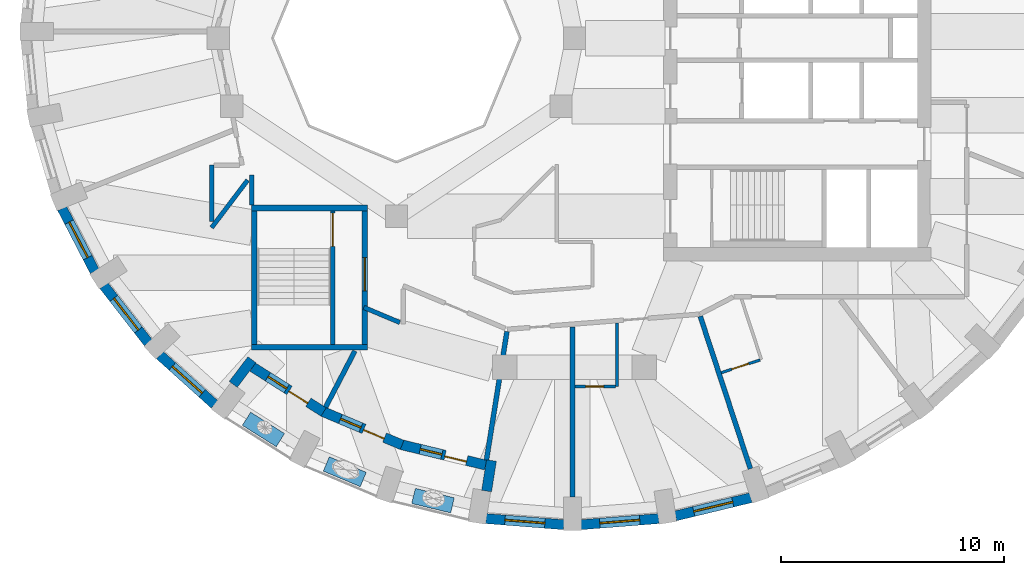
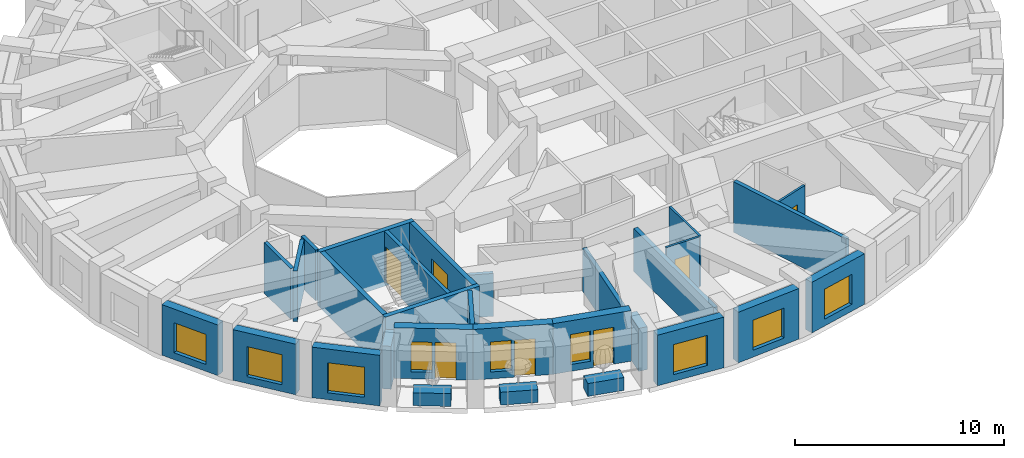
# One storey, part 3 of 12: 30 walls, 9 windows, 7 doors, 16 openings.
"""IFC4 building model written with IfcOpenShell, lengths in metres."""

from ifc_helpers import new_model, si_unit, direction, frame, frame_2d, origin, place, context, subcontext, project, spatial, rectangle, extrude, material, layer, layer_set, constituent, constituent_set, type_object, element, fill, save


model = new_model("IFC4")

# Units and contexts
model_context = context("Model", 3, precision=1e-05, world=origin(), true_north=direction((0.0, 1.0)))
body_context = subcontext(model_context, "Body", "Model", "MODEL_VIEW")
ifc_project = project(units=[si_unit("LENGTHUNIT", "METRE"), si_unit("AREAUNIT", "SQUARE_METRE"), si_unit("VOLUMEUNIT", "CUBIC_METRE"), si_unit("PLANEANGLEUNIT", "RADIAN"), si_unit("MASSUNIT", "GRAM", prefix="KILO")], contexts=[model_context])

# Site, building, storey
site_placement = place(None, origin())
site = spatial("IfcSite", under=ifc_project, at=site_placement, CompositionType="ELEMENT")
building_placement = place(site_placement, origin())
building = spatial("IfcBuilding", under=site, at=building_placement, Name="Taillehof Tower", CompositionType="ELEMENT")
storey_placement = place(building_placement, frame((0.0, 0.0, 256.39990234375)))
storey = spatial("IfcBuildingStorey", under=building, at=storey_placement, Name="L73", CompositionType="ELEMENT", Elevation=256.39990234375)

# Wall, opening, window
ifc_material_1 = material(Name="Brick masonry", Category="masonry")
ifc_layer_1 = layer(ifc_material_1, 0.449951171875)
ifc_layer_set_1 = layer_set([ifc_layer_1], Name="Brick infill wall 450")
wall_type_1 = type_object("IfcWallType", Name="Brick infill wall 450", PredefinedType="SOLIDWALL", material=ifc_layer_set_1)
wall_1_placement = place(storey_placement, frame((-23.010009765625, -7.6396484375, 0.0), z_axis=(0.0, 0.0, 1.0), x_axis=(0.459921155255, -0.887959757505, 0.0)))
wall_1 = element("IfcWall", 1, at=wall_1_placement, inside=storey, type_object=wall_type_1, Name="Brick wall L73 bay 21", PredefinedType="SOLIDWALL", context=body_context, shape_type="SweptSolid", body=[
    extrude(rectangle(XDim=3.185546875, YDim=0.449951171875, at=frame_2d((1.5927734375, 0.0))), origin(), (0.0, 0.0, 1.0), 2.9501953125),
])
opening_1_placement = place(wall_1_placement, frame((0.69287109375, 0.0, 0.39990234375)))
opening_1 = element("IfcOpeningElement", 2, at=opening_1_placement, cuts=wall_1, Name="Opening W4", PredefinedType="OPENING", context=body_context, shape_type="SweptSolid", body=[
    extrude(rectangle(XDim=1.800048828125, YDim=1.75, at=frame_2d((0.89990234375, 0.875))), frame((0.0, 0.23486328125, 0.0), z_axis=(0.0, -1.0, 0.0), x_axis=(1.0, 0.0, 0.0)), (0.0, 0.0, 1.0), 0.469970703125),
])
ifc_material_2 = material(Name="Aluminium window frame with clear double glazing", Category="aluminium")
window_type_1 = type_object("IfcWindowType", Name="Deep-set window 1800x1750", PartitioningType="SINGLE_PANEL", PredefinedType="WINDOW", material=ifc_material_2)
window_1_placement = place(opening_1_placement, origin())
window_1 = element("IfcWindow", 3, at=window_1_placement, inside=storey, type_object=window_type_1, Name="W4", OverallHeight=1.75, OverallWidth=1.800048828125, PartitioningType="SINGLE_PANEL", PredefinedType="WINDOW", context=body_context, shape_type="SweptSolid", body=[
    extrude(rectangle(XDim=1.800048828125, YDim=1.75, at=frame_2d((0.89990234375, 0.875))), frame((0.0, 0.034912109375, 0.0), z_axis=(0.0, -1.0, 0.0), x_axis=(1.0, 0.0, 0.0)), (0.0, 0.0, 1.0), 0.06005859375),
])
fill(opening_1, window_1)

wall_2_placement = place(storey_placement, frame((-21.135009765625, -11.108642578125, 0.0), z_axis=(0.0, 0.0, 1.0), x_axis=(0.613898970825, -0.789384604372, 0.0)))
wall_2 = element("IfcWall", 4, at=wall_2_placement, inside=storey, type_object=wall_type_1, Name="Brick wall L73 bay 22", PredefinedType="SOLIDWALL", context=body_context, shape_type="SweptSolid", body=[
    extrude(rectangle(XDim=3.2470703125, YDim=0.449951171875, at=frame_2d((1.62353515625, 0.0))), origin(), (0.0, 0.0, 1.0), 2.9501953125),
])
opening_2_placement = place(wall_2_placement, frame((0.7236328125, 0.0, 0.39990234375)))
opening_2 = element("IfcOpeningElement", 5, at=opening_2_placement, cuts=wall_2, Name="Opening W4", PredefinedType="OPENING", context=body_context, shape_type="SweptSolid", body=[
    extrude(rectangle(XDim=1.800048828125, YDim=1.75, at=frame_2d((0.89990234375, 0.875))), frame((0.0, 0.23486328125, 0.0), z_axis=(0.0, -1.0, 0.0), x_axis=(1.0, 0.0, 0.0)), (0.0, 0.0, 1.0), 0.469970703125),
])
window_2_placement = place(opening_2_placement, origin())
window_2 = element("IfcWindow", 6, at=window_2_placement, inside=storey, type_object=window_type_1, Name="W4", OverallHeight=1.75, OverallWidth=1.800048828125, PartitioningType="SINGLE_PANEL", PredefinedType="WINDOW", context=body_context, shape_type="SweptSolid", body=[
    extrude(rectangle(XDim=1.800048828125, YDim=1.75, at=frame_2d((0.89990234375, 0.875))), frame((0.0, 0.034912109375, 0.0), z_axis=(0.0, -1.0, 0.0), x_axis=(1.0, 0.0, 0.0)), (0.0, 0.0, 1.0), 0.06005859375),
])
fill(opening_2, window_2)

wall_3_placement = place(storey_placement, frame((-18.623779296875, -14.228515625, 0.0), z_axis=(0.0, 0.0, 1.0), x_axis=(0.743166014219, -0.669107073128, 0.0)))
wall_3 = element("IfcWall", 7, at=wall_3_placement, inside=storey, type_object=wall_type_1, Name="Brick wall L73 bay 23", PredefinedType="SOLIDWALL", context=body_context, shape_type="SweptSolid", body=[
    extrude(rectangle(XDim=3.31640625, YDim=0.449951171875, at=frame_2d((1.658203125, 0.0))), origin(), (0.0, 0.0, 1.0), 2.9501953125),
])
opening_3_placement = place(wall_3_placement, frame((0.75830078125, 0.0, 0.39990234375)))
opening_3 = element("IfcOpeningElement", 8, at=opening_3_placement, cuts=wall_3, Name="Opening W4", PredefinedType="OPENING", context=body_context, shape_type="SweptSolid", body=[
    extrude(rectangle(XDim=1.800048828125, YDim=1.75, at=frame_2d((0.89990234375, 0.875))), frame((0.0, 0.23486328125, 0.0), z_axis=(0.0, -1.0, 0.0), x_axis=(1.0, 0.0, 0.0)), (0.0, 0.0, 1.0), 0.469970703125),
])
window_3_placement = place(opening_3_placement, origin())
window_3 = element("IfcWindow", 9, at=window_3_placement, inside=storey, type_object=window_type_1, Name="W4", OverallHeight=1.75, OverallWidth=1.800048828125, PartitioningType="SINGLE_PANEL", PredefinedType="WINDOW", context=body_context, shape_type="SweptSolid", body=[
    extrude(rectangle(XDim=1.800048828125, YDim=1.75, at=frame_2d((0.89990234375, 0.875))), frame((0.0, 0.034912109375, 0.0), z_axis=(0.0, -1.0, 0.0), x_axis=(1.0, 0.0, 0.0)), (0.0, 0.0, 1.0), 0.06005859375),
])
fill(opening_3, window_3)

wall_4_placement = place(storey_placement, frame((-3.978515625, -21.56884765625, 0.0), z_axis=(0.0, 0.0, 1.0), x_axis=(0.996910775835, -0.078542377245, 0.0)))
wall_4 = element("IfcWall", 10, at=wall_4_placement, inside=storey, type_object=wall_type_1, Name="Brick wall L73 bay 27", PredefinedType="SOLIDWALL", context=body_context, shape_type="SweptSolid", body=[
    extrude(rectangle(XDim=3.50927734375, YDim=0.449951171875, at=frame_2d((1.754638671875, 0.0))), origin(), (0.0, 0.0, 1.0), 2.9501953125),
])
opening_4_placement = place(wall_4_placement, frame((0.854736328125, 0.0, 0.39990234375)))
opening_4 = element("IfcOpeningElement", 11, at=opening_4_placement, cuts=wall_4, Name="Opening W4", PredefinedType="OPENING", context=body_context, shape_type="SweptSolid", body=[
    extrude(rectangle(XDim=1.800048828125, YDim=1.75, at=frame_2d((0.89990234375, 0.875))), frame((0.0, 0.23486328125, 0.0), z_axis=(0.0, -1.0, 0.0), x_axis=(1.0, 0.0, 0.0)), (0.0, 0.0, 1.0), 0.469970703125),
])
window_4_placement = place(opening_4_placement, origin())
window_4 = element("IfcWindow", 12, at=window_4_placement, inside=storey, type_object=window_type_1, Name="W4", OverallHeight=1.75, OverallWidth=1.800048828125, PartitioningType="SINGLE_PANEL", PredefinedType="WINDOW", context=body_context, shape_type="SweptSolid", body=[
    extrude(rectangle(XDim=1.800048828125, YDim=1.75, at=frame_2d((0.89990234375, 0.875))), frame((0.0, 0.034912109375, 0.0), z_axis=(0.0, -1.0, 0.0), x_axis=(1.0, 0.0, 0.0)), (0.0, 0.0, 1.0), 0.06005859375),
])
fill(opening_4, window_4)

wall_5_placement = place(storey_placement, frame((0.280029296875, -21.844482421875, 0.0), z_axis=(0.0, 0.0, 1.0), x_axis=(0.996910775835, 0.078542377245, 0.0)))
wall_5 = element("IfcWall", 13, at=wall_5_placement, inside=storey, type_object=wall_type_1, Name="Brick wall L73 bay 28", PredefinedType="SOLIDWALL", context=body_context, shape_type="SweptSolid", body=[
    extrude(rectangle(XDim=3.50927734375, YDim=0.449951171875, at=frame_2d((1.754638671875, 0.0))), origin(), (0.0, 0.0, 1.0), 2.9501953125),
])
opening_5_placement = place(wall_5_placement, frame((0.854736328125, 0.0, 0.39990234375)))
opening_5 = element("IfcOpeningElement", 14, at=opening_5_placement, cuts=wall_5, Name="Opening W4", PredefinedType="OPENING", context=body_context, shape_type="SweptSolid", body=[
    extrude(rectangle(XDim=1.800048828125, YDim=1.75, at=frame_2d((0.89990234375, 0.875))), frame((0.0, 0.23486328125, 0.0), z_axis=(0.0, -1.0, 0.0), x_axis=(1.0, 0.0, 0.0)), (0.0, 0.0, 1.0), 0.469970703125),
])
window_5_placement = place(opening_5_placement, origin())
window_5 = element("IfcWindow", 15, at=window_5_placement, inside=storey, type_object=window_type_1, Name="W4", OverallHeight=1.75, OverallWidth=1.800048828125, PartitioningType="SINGLE_PANEL", PredefinedType="WINDOW", context=body_context, shape_type="SweptSolid", body=[
    extrude(rectangle(XDim=1.800048828125, YDim=1.75, at=frame_2d((0.89990234375, 0.875))), frame((0.0, 0.034912109375, 0.0), z_axis=(0.0, -1.0, 0.0), x_axis=(1.0, 0.0, 0.0)), (0.0, 0.0, 1.0), 0.06005859375),
])
fill(opening_5, window_5)

wall_6_placement = place(storey_placement, frame((4.529296875, -21.449462890625, 0.0), z_axis=(0.0, 0.0, 1.0), x_axis=(0.972115243017, 0.234503633859, 0.0)))
wall_6 = element("IfcWall", 16, at=wall_6_placement, inside=storey, type_object=wall_type_1, Name="Brick wall L73 bay 29", PredefinedType="SOLIDWALL", context=body_context, shape_type="SweptSolid", body=[
    extrude(rectangle(XDim=3.486572265625, YDim=0.449951171875, at=frame_2d((1.7431640625, 0.0))), origin(), (0.0, 0.0, 1.0), 2.9501953125),
])
opening_6_placement = place(wall_6_placement, frame((0.84326171875, 0.0, 0.39990234375)))
opening_6 = element("IfcOpeningElement", 17, at=opening_6_placement, cuts=wall_6, Name="Opening W4", PredefinedType="OPENING", context=body_context, shape_type="SweptSolid", body=[
    extrude(rectangle(XDim=1.800048828125, YDim=1.75, at=frame_2d((0.89990234375, 0.875))), frame((0.0, 0.23486328125, 0.0), z_axis=(0.0, -1.0, 0.0), x_axis=(1.0, 0.0, 0.0)), (0.0, 0.0, 1.0), 0.469970703125),
])
window_6_placement = place(opening_6_placement, origin())
window_6 = element("IfcWindow", 18, at=window_6_placement, inside=storey, type_object=window_type_1, Name="W4", OverallHeight=1.75, OverallWidth=1.800048828125, PartitioningType="SINGLE_PANEL", PredefinedType="WINDOW", context=body_context, shape_type="SweptSolid", body=[
    extrude(rectangle(XDim=1.800048828125, YDim=1.75, at=frame_2d((0.89990234375, 0.875))), frame((0.0, 0.034912109375, 0.0), z_axis=(0.0, -1.0, 0.0), x_axis=(1.0, 0.0, 0.0)), (0.0, 0.0, 1.0), 0.06005859375),
])
fill(opening_6, window_6)

# Walls
wall_7_placement = place(storey_placement, frame((-15.3271484375, -15.544677734375, 0.0), z_axis=(0.0, 0.0, 1.0), x_axis=(0.604148273711, 0.79687192407, 0.0)))
element("IfcWall", 19, at=wall_7_placement, inside=storey, type_object=wall_type_1, Name="Brick reveal L73 pocket 7", PredefinedType="SOLIDWALL", context=body_context, shape_type="SweptSolid", body=[
    extrude(rectangle(XDim=1.390869140625, YDim=0.449951171875, at=frame_2d((0.6953125, 0.0))), origin(), (0.0, 0.0, 1.0), 2.5),
])
wall_8_placement = place(storey_placement, frame((-3.951416015625, -20.33349609375, 0.0), z_axis=(0.0, 0.0, 1.0), x_axis=(0.157189016474, 0.9875685359, 0.0)))
element("IfcWall", 20, at=wall_8_placement, inside=storey, type_object=wall_type_1, Name="Brick reveal L73 pocket 7", PredefinedType="SOLIDWALL", context=body_context, shape_type="SweptSolid", body=[
    extrude(rectangle(XDim=1.39013671875, YDim=0.449951171875, at=frame_2d((0.695068359375, 0.0))), origin(), (0.0, 0.0, 1.0), 2.5),
])

# Wall, openings, door, window
wall_9_placement = place(storey_placement, frame((-14.455078125, -14.7666015625, 0.0), z_axis=(0.0, 0.0, 1.0), x_axis=(0.845183955488, -0.534475519912, 0.0)))
wall_9 = element("IfcWall", 21, at=wall_9_placement, inside=storey, type_object=wall_type_1, Name="Brick wall L73 pocket bay 24", PredefinedType="SOLIDWALL", context=body_context, shape_type="SweptSolid", body=[
    extrude(rectangle(XDim=3.7685546875, YDim=0.449951171875, at=frame_2d((1.88427734375, 0.0))), origin(), (0.0, 0.0, 1.0), 2.9501953125),
])
opening_7_placement = place(wall_9_placement, frame((0.809326171875, 0.0, 0.39990234375)))
opening_7 = element("IfcOpeningElement", 22, at=opening_7_placement, cuts=wall_9, Name="Opening W5", PredefinedType="OPENING", context=body_context, shape_type="SweptSolid", body=[
    extrude(rectangle(XDim=1.0, YDim=1.75, at=frame_2d((0.5, 0.875))), frame((0.0, 0.23486328125, 0.0), z_axis=(0.0, -1.0, 0.0), x_axis=(1.0, 0.0, 0.0)), (0.0, 0.0, 1.0), 0.469970703125),
])
opening_8_placement = place(wall_9_placement, frame((1.959228515625, 0.0, 0.0)))
opening_8 = element("IfcOpeningElement", 23, at=opening_8_placement, cuts=wall_9, Name="Opening D7394", PredefinedType="OPENING", context=body_context, shape_type="SweptSolid", body=[
    extrude(rectangle(XDim=1.0, YDim=2.14990234375, at=frame_2d((0.5, 1.074951171875))), frame((0.0, 0.23486328125, 0.0), z_axis=(0.0, -1.0, 0.0), x_axis=(1.0, 0.0, 0.0)), (0.0, 0.0, 1.0), 0.469970703125),
])
ifc_material_3 = material(Name="Aluminium door frame with clear double glazing", Category="aluminium")
door_type_1 = type_object("IfcDoorType", Name="Balcony door 1000x2150", OperationType="SINGLE_SWING_RIGHT", PredefinedType="DOOR", material=ifc_material_3)
door_1_placement = place(opening_8_placement, frame((1.0, 0.0, 0.0), z_axis=(0.0, 0.0, 1.0), x_axis=(-1.0, 0.0, 0.0)))
door_1 = element("IfcDoor", 24, at=door_1_placement, inside=storey, type_object=door_type_1, Name="Balcony door L73 bay 24", OperationType="SINGLE_SWING_RIGHT", OverallHeight=2.14990234375, OverallWidth=1.0, PredefinedType="DOOR", context=body_context, shape_type="SweptSolid", body=[
    extrude(rectangle(XDim=1.0, YDim=2.14990234375, at=frame_2d((0.5, 1.074951171875))), frame((0.0, 0.0751953125, 0.0), z_axis=(0.0, -1.0, 0.0), x_axis=(1.0, 0.0, 0.0)), (0.0, 0.0, 1.0), 0.050048828125),
])
fill(opening_8, door_1)
ifc_material_4 = material(Name="Aluminium window frame with clear double glazing", Category="aluminium")
window_type_2 = type_object("IfcWindowType", Name="Fixed window 1000x1750", PartitioningType="SINGLE_PANEL", PredefinedType="WINDOW", material=ifc_material_4)
window_7_placement = place(opening_7_placement, origin())
window_7 = element("IfcWindow", 25, at=window_7_placement, inside=storey, type_object=window_type_2, Name="W5", OverallHeight=1.75, OverallWidth=1.0, PartitioningType="SINGLE_PANEL", PredefinedType="WINDOW", context=body_context, shape_type="SweptSolid", body=[
    extrude(rectangle(XDim=1.0, YDim=1.75, at=frame_2d((0.5, 0.875))), frame((0.0, 0.034912109375, 0.0), z_axis=(0.0, -1.0, 0.0), x_axis=(1.0, 0.0, 0.0)), (0.0, 0.0, 1.0), 0.06005859375),
])
fill(opening_7, window_7)

wall_10_placement = place(storey_placement, frame((-11.302978515625, -16.763671875, 0.0), z_axis=(0.0, 0.0, 1.0), x_axis=(0.921625850704, -0.388079619813, 0.0)))
wall_10 = element("IfcWall", 26, at=wall_10_placement, inside=storey, type_object=wall_type_1, Name="Brick wall L73 pocket bay 25", PredefinedType="SOLIDWALL", context=body_context, shape_type="SweptSolid", body=[
    extrude(rectangle(XDim=3.860107421875, YDim=0.449951171875, at=frame_2d((1.93017578125, 0.0))), origin(), (0.0, 0.0, 1.0), 2.9501953125),
])
opening_9_placement = place(wall_10_placement, frame((0.855224609375, 0.0, 0.39990234375)))
opening_9 = element("IfcOpeningElement", 27, at=opening_9_placement, cuts=wall_10, Name="Opening W5", PredefinedType="OPENING", context=body_context, shape_type="SweptSolid", body=[
    extrude(rectangle(XDim=1.0, YDim=1.75, at=frame_2d((0.5, 0.875))), frame((0.0, 0.23486328125, 0.0), z_axis=(0.0, -1.0, 0.0), x_axis=(1.0, 0.0, 0.0)), (0.0, 0.0, 1.0), 0.469970703125),
])
opening_10_placement = place(wall_10_placement, frame((2.005126953125, 0.0, 0.0)))
opening_10 = element("IfcOpeningElement", 28, at=opening_10_placement, cuts=wall_10, Name="Opening D7395", PredefinedType="OPENING", context=body_context, shape_type="SweptSolid", body=[
    extrude(rectangle(XDim=1.0, YDim=2.14990234375, at=frame_2d((0.5, 1.074951171875))), frame((0.0, 0.23486328125, 0.0), z_axis=(0.0, -1.0, 0.0), x_axis=(1.0, 0.0, 0.0)), (0.0, 0.0, 1.0), 0.469970703125),
])
door_2_placement = place(opening_10_placement, frame((1.0, 0.0, 0.0), z_axis=(0.0, 0.0, 1.0), x_axis=(-1.0, 0.0, 0.0)))
door_2 = element("IfcDoor", 29, at=door_2_placement, inside=storey, type_object=door_type_1, Name="Balcony door L73 bay 25", OperationType="SINGLE_SWING_LEFT", OverallHeight=2.14990234375, OverallWidth=1.0, PredefinedType="DOOR", context=body_context, shape_type="SweptSolid", body=[
    extrude(rectangle(XDim=1.0, YDim=2.14990234375, at=frame_2d((0.5, 1.074951171875))), frame((0.0, 0.0751953125, 0.0), z_axis=(0.0, -1.0, 0.0), x_axis=(1.0, 0.0, 0.0)), (0.0, 0.0, 1.0), 0.050048828125),
])
fill(opening_10, door_2)
window_8_placement = place(opening_9_placement, origin())
window_8 = element("IfcWindow", 30, at=window_8_placement, inside=storey, type_object=window_type_2, Name="W5", OverallHeight=1.75, OverallWidth=1.0, PartitioningType="SINGLE_PANEL", PredefinedType="WINDOW", context=body_context, shape_type="SweptSolid", body=[
    extrude(rectangle(XDim=1.0, YDim=1.75, at=frame_2d((0.5, 0.875))), frame((0.0, 0.034912109375, 0.0), z_axis=(0.0, -1.0, 0.0), x_axis=(1.0, 0.0, 0.0)), (0.0, 0.0, 1.0), 0.06005859375),
])
fill(opening_9, window_8)

wall_11_placement = place(storey_placement, frame((-7.779541015625, -18.25048828125, 0.0), z_axis=(0.0, 0.0, 1.0), x_axis=(0.971943523304, -0.235214343755, 0.0)))
wall_11 = element("IfcWall", 31, at=wall_11_placement, inside=storey, type_object=wall_type_1, Name="Brick wall L73 pocket bay 26", PredefinedType="SOLIDWALL", context=body_context, shape_type="SweptSolid", body=[
    extrude(rectangle(XDim=3.8955078125, YDim=0.449951171875, at=frame_2d((1.94775390625, 0.0))), origin(), (0.0, 0.0, 1.0), 2.9501953125),
])
opening_11_placement = place(wall_11_placement, frame((0.872802734375, 0.0, 0.39990234375)))
opening_11 = element("IfcOpeningElement", 32, at=opening_11_placement, cuts=wall_11, Name="Opening W5", PredefinedType="OPENING", context=body_context, shape_type="SweptSolid", body=[
    extrude(rectangle(XDim=1.0, YDim=1.75, at=frame_2d((0.5, 0.875))), frame((0.0, 0.23486328125, 0.0), z_axis=(0.0, -1.0, 0.0), x_axis=(1.0, 0.0, 0.0)), (0.0, 0.0, 1.0), 0.469970703125),
])
opening_12_placement = place(wall_11_placement, frame((2.022705078125, 0.0, 0.0)))
opening_12 = element("IfcOpeningElement", 33, at=opening_12_placement, cuts=wall_11, Name="Opening D7396", PredefinedType="OPENING", context=body_context, shape_type="SweptSolid", body=[
    extrude(rectangle(XDim=1.0, YDim=2.14990234375, at=frame_2d((0.5, 1.074951171875))), frame((0.0, 0.23486328125, 0.0), z_axis=(0.0, -1.0, 0.0), x_axis=(1.0, 0.0, 0.0)), (0.0, 0.0, 1.0), 0.469970703125),
])
door_3_placement = place(opening_12_placement, frame((1.0, 0.0, 0.0), z_axis=(0.0, 0.0, 1.0), x_axis=(-1.0, 0.0, 0.0)))
door_3 = element("IfcDoor", 34, at=door_3_placement, inside=storey, type_object=door_type_1, Name="Balcony door L73 bay 26", OperationType="SINGLE_SWING_LEFT", OverallHeight=2.14990234375, OverallWidth=1.0, PredefinedType="DOOR", context=body_context, shape_type="SweptSolid", body=[
    extrude(rectangle(XDim=1.0, YDim=2.14990234375, at=frame_2d((0.5, 1.074951171875))), frame((0.0, 0.0751953125, 0.0), z_axis=(0.0, -1.0, 0.0), x_axis=(1.0, 0.0, 0.0)), (0.0, 0.0, 1.0), 0.050048828125),
])
fill(opening_12, door_3)
window_9_placement = place(opening_11_placement, origin())
window_9 = element("IfcWindow", 35, at=window_9_placement, inside=storey, type_object=window_type_2, Name="W5", OverallHeight=1.75, OverallWidth=1.0, PartitioningType="SINGLE_PANEL", PredefinedType="WINDOW", context=body_context, shape_type="SweptSolid", body=[
    extrude(rectangle(XDim=1.0, YDim=1.75, at=frame_2d((0.5, 0.875))), frame((0.0, 0.034912109375, 0.0), z_axis=(0.0, -1.0, 0.0), x_axis=(1.0, 0.0, 0.0)), (0.0, 0.0, 1.0), 0.06005859375),
])
fill(opening_11, window_9)

# Walls
ifc_material_5 = material(Name="Gypsum board on steel studs, two layers each side", Category="steel")
ifc_layer_2 = layer(ifc_material_5, 0.199951171875)
ifc_layer_set_2 = layer_set([ifc_layer_2], Name="Compartment wall corridor 200")
wall_type_2 = type_object("IfcWallType", Name="Compartment wall corridor 200", PredefinedType="PARTITIONING", material=ifc_layer_set_2)
wall_12_placement = place(storey_placement, frame((-7.846435546875, -12.765869140625, 0.0), z_axis=(0.0, 0.0, 1.0), x_axis=(-0.921813756196, 0.387633072489, 0.0)))
element("IfcWall", 36, at=wall_12_placement, inside=storey, type_object=wall_type_2, Name="Compartment wall", PredefinedType="PARTITIONING", context=body_context, shape_type="SweptSolid", body=[
    extrude(rectangle(XDim=1.7509765625, YDim=0.199951171875, at=frame_2d((0.87548828125, 0.0))), origin(), (0.0, 0.0, 1.0), 2.5),
])
wall_13_placement = place(storey_placement, frame((-14.5, -7.49609375, 0.0), z_axis=(0.0, 0.0, 1.0), x_axis=(0.0, 1.0, 0.0)))
element("IfcWall", 37, at=wall_13_placement, inside=storey, type_object=wall_type_2, Name="Compartment wall", PredefinedType="PARTITIONING", context=body_context, shape_type="SweptSolid", body=[
    extrude(rectangle(XDim=1.36181640625, YDim=0.199951171875, at=frame_2d((0.680908203125, 0.0))), origin(), (0.0, 0.0, 1.0), 2.9501953125),
])
wall_14_placement = place(storey_placement, frame((-14.679443359375, -6.372314453125, 0.0), z_axis=(0.0, 0.0, 1.0), x_axis=(-0.604258962547, -0.796787993247, 0.0)))
element("IfcWall", 38, at=wall_14_placement, inside=storey, type_object=wall_type_2, Name="Compartment wall", PredefinedType="PARTITIONING", context=body_context, shape_type="SweptSolid", body=[
    extrude(rectangle(XDim=2.681884765625, YDim=0.199951171875, at=frame_2d((1.3408203125, 0.0))), origin(), (0.0, 0.0, 1.0), 2.9501953125),
])
wall_15_placement = place(storey_placement, frame((-16.300048828125, -8.22900390625, 0.0), z_axis=(0.0, 0.0, 1.0), x_axis=(0.0, 1.0, 0.0)))
element("IfcWall", 39, at=wall_15_placement, inside=storey, type_object=wall_type_2, Name="Compartment wall", PredefinedType="PARTITIONING", context=body_context, shape_type="SweptSolid", body=[
    extrude(rectangle(XDim=2.529052734375, YDim=0.199951171875, at=frame_2d((1.2646484375, 0.0))), origin(), (0.0, 0.0, 1.0), 2.9501953125),
])
ifc_material_6 = material(Name="Gypsum board on double steel studs with mineral wool", Category="steel")
ifc_layer_3 = layer(ifc_material_6, 0.219970703125)
ifc_layer_set_3 = layer_set([ifc_layer_3], Name="Compartment wall guest room 220")
wall_type_3 = type_object("IfcWallType", Name="Compartment wall guest room 220", PredefinedType="PARTITIONING", material=ifc_layer_set_3)
wall_16_placement = place(storey_placement, frame((-11.181396484375, -16.570556640625, 0.0), z_axis=(0.0, 0.0, 1.0), x_axis=(0.462325972726, 0.886710039947, 0.0)))
element("IfcWall", 40, at=wall_16_placement, inside=storey, type_object=wall_type_3, Name="Compartment wall", PredefinedType="PARTITIONING", context=body_context, shape_type="SweptSolid", body=[
    extrude(rectangle(XDim=2.8505859375, YDim=0.219970703125, at=frame_2d((1.42529296875, 0.0))), origin(), (0.0, 0.0, 1.0), 2.9501953125),
])
wall_17_placement = place(storey_placement, frame((-3.9580078125, -18.94384765625, 0.0), z_axis=(0.0, 0.0, 1.0), x_axis=(0.157252920937, 0.987558362253, 0.0)))
element("IfcWall", 41, at=wall_17_placement, inside=storey, type_object=wall_type_3, Name="Compartment wall", PredefinedType="PARTITIONING", context=body_context, shape_type="SweptSolid", body=[
    extrude(rectangle(XDim=5.848388671875, YDim=0.219970703125, at=frame_2d((2.92431640625, 0.0))), origin(), (0.0, 0.0, 1.0), 2.5),
])
wall_18_placement = place(storey_placement, frame((-0.10009765625, -20.60009765625, 0.0), z_axis=(0.0, 0.0, 1.0), x_axis=(0.0, 1.0, 0.0)))
element("IfcWall", 42, at=wall_18_placement, inside=storey, type_object=wall_type_3, Name="Compartment wall", PredefinedType="PARTITIONING", context=body_context, shape_type="SweptSolid", body=[
    extrude(rectangle(XDim=7.64013671875, YDim=0.219970703125, at=frame_2d((3.820068359375, 0.0))), origin(), (0.0, 0.0, 1.0), 2.5),
])
wall_19_placement = place(storey_placement, frame((7.891357421875, -19.331787109375, 0.0), z_axis=(0.0, 0.0, 1.0), x_axis=(-0.31230054546, 0.94998335212, 0.0)))
element("IfcWall", 43, at=wall_19_placement, inside=storey, type_object=wall_type_3, Name="Compartment wall", PredefinedType="PARTITIONING", context=body_context, shape_type="SweptSolid", body=[
    extrude(rectangle(XDim=7.203857421875, YDim=0.219970703125, at=frame_2d((3.60205078125, 0.0))), origin(), (0.0, 0.0, 1.0), 2.9501953125),
])
ifc_material_7 = material(Name="Gypsum board on steel studs, moisture resistant", Category="steel")
ifc_layer_4 = layer(ifc_material_7, 0.1201171875)
ifc_layer_set_4 = layer_set([ifc_layer_4], Name="En-suite wall 120")
wall_type_4 = type_object("IfcWallType", Name="En-suite wall 120", PredefinedType="PARTITIONING", material=ifc_layer_set_4)
wall_20_placement = place(storey_placement, frame((1.89990234375, -12.782958984375, 0.0), z_axis=(0.0, 0.0, 1.0), x_axis=(0.0, -1.0, 0.0)))
element("IfcWall", 44, at=wall_20_placement, inside=storey, type_object=wall_type_4, Name="En-suite wall", PredefinedType="PARTITIONING", context=body_context, shape_type="SweptSolid", body=[
    extrude(rectangle(XDim=2.856689453125, YDim=0.1201171875, at=frame_2d((1.42822265625, 0.0))), origin(), (0.0, 0.0, 1.0), 2.9501953125),
])

# Wall, opening, door
wall_21_placement = place(storey_placement, frame((1.83984375, -15.6396484375, 0.0), z_axis=(0.0, 0.0, 1.0), x_axis=(-1.0, 0.0, 0.0)))
wall_21 = element("IfcWall", 45, at=wall_21_placement, inside=storey, type_object=wall_type_4, Name="En-suite wall", PredefinedType="PARTITIONING", context=body_context, shape_type="SweptSolid", body=[
    extrude(rectangle(XDim=1.829833984375, YDim=0.1201171875, at=frame_2d((0.9150390625, 0.0))), origin(), (0.0, 0.0, 1.0), 2.9501953125),
])
opening_13_placement = place(wall_21_placement, frame((0.539794921875, 0.0, 0.0)))
opening_13 = element("IfcOpeningElement", 46, at=opening_13_placement, cuts=wall_21, Name="Opening D7353", PredefinedType="OPENING", context=body_context, shape_type="SweptSolid", body=[
    extrude(rectangle(XDim=0.800048828125, YDim=2.10009765625, at=frame_2d((0.39990234375, 1.050048828125))), frame((0.0, 0.070068359375, 0.0), z_axis=(0.0, -1.0, 0.0), x_axis=(1.0, 0.0, 0.0)), (0.0, 0.0, 1.0), 0.14013671875),
])
ifc_material_8 = material(Name="Timber door leaf in steel frame", Category="steel")
door_type_2 = type_object("IfcDoorType", Name="En-suite door 800 x 2100", OperationType="SINGLE_SWING_LEFT", PredefinedType="DOOR", material=ifc_material_8)
door_4_placement = place(opening_13_placement, origin())
door_4 = element("IfcDoor", 47, at=door_4_placement, inside=storey, type_object=door_type_2, Name="D7353", OperationType="SINGLE_SWING_RIGHT", OverallHeight=2.10009765625, OverallWidth=0.800048828125, PredefinedType="DOOR", context=body_context, shape_type="SweptSolid", body=[
    extrude(rectangle(XDim=0.800048828125, YDim=2.10009765625, at=frame_2d((0.39990234375, 1.050048828125))), frame((0.0, 0.02490234375, 0.0), z_axis=(0.0, -1.0, 0.0), x_axis=(1.0, 0.0, 0.0)), (0.0, 0.0, 1.0), 0.050048828125),
])
fill(opening_13, door_4)

wall_22_placement = place(storey_placement, frame((8.3271484375, -14.4453125, 0.0), z_axis=(0.0, 0.0, 1.0), x_axis=(-0.950022140222, -0.312182531684, 0.0)))
wall_22 = element("IfcWall", 48, at=wall_22_placement, inside=storey, type_object=wall_type_4, Name="En-suite wall", PredefinedType="PARTITIONING", context=body_context, shape_type="SweptSolid", body=[
    extrude(rectangle(XDim=1.830078125, YDim=0.1201171875, at=frame_2d((0.9150390625, 0.0))), origin(), (0.0, 0.0, 1.0), 2.9501953125),
])
opening_14_placement = place(wall_22_placement, frame((0.5400390625, 0.0, 0.0)))
opening_14 = element("IfcOpeningElement", 49, at=opening_14_placement, cuts=wall_22, Name="Opening D7355", PredefinedType="OPENING", context=body_context, shape_type="SweptSolid", body=[
    extrude(rectangle(XDim=0.800048828125, YDim=2.10009765625, at=frame_2d((0.39990234375, 1.050048828125))), frame((0.0, 0.070068359375, 0.0), z_axis=(0.0, -1.0, 0.0), x_axis=(1.0, 0.0, 0.0)), (0.0, 0.0, 1.0), 0.14013671875),
])
door_5_placement = place(opening_14_placement, origin())
door_5 = element("IfcDoor", 50, at=door_5_placement, inside=storey, type_object=door_type_2, Name="D7355", OperationType="SINGLE_SWING_RIGHT", OverallHeight=2.10009765625, OverallWidth=0.800048828125, PredefinedType="DOOR", context=body_context, shape_type="SweptSolid", body=[
    extrude(rectangle(XDim=0.800048828125, YDim=2.10009765625, at=frame_2d((0.39990234375, 1.050048828125))), frame((0.0, 0.02490234375, 0.0), z_axis=(0.0, -1.0, 0.0), x_axis=(1.0, 0.0, 0.0)), (0.0, 0.0, 1.0), 0.050048828125),
])
fill(opening_14, door_5)

# Walls
ifc_material_9 = material(Name="Concrete C30/37 precast", Category="concrete")
ifc_constituent_1 = constituent(ifc_material_9, Name="Structure", Category="concrete")
ifc_material_10 = material(Name="Insulated lining")
ifc_constituent_2 = constituent(ifc_material_10, Name="Lining")
ifc_constituent_set = constituent_set(constituents=[ifc_constituent_1, ifc_constituent_2], Name="Planter trough 700x750")
wall_type_5 = type_object("IfcWallType", Name="Planter trough 700x750", PredefinedType="USERDEFINED", material=ifc_constituent_set)
for number, where, z_axis, x_axis, name in (
    (51, (-14.731201171875, -17.087158203125, 0.0), (0.0, 0.0, 1.0), (0.845926932753, -0.533298813465, 0.0), "Planter L73 bay 24"),
    (52, (-11.14794921875, -19.1171875, 0.0), (0.0, 0.0, 1.0), (0.922038267928, -0.387098737374, 0.0), "Planter L73 bay 25"),
    (53, (-7.232177734375, -20.552490234375, 0.0), (0.0, 0.0, 1.0), (0.972112071369, -0.234516781275, 0.0), "Planter L73 bay 26"),
):
    element("IfcWall", number, at=place(storey_placement, frame(where, z_axis=z_axis, x_axis=x_axis)), inside=storey, type_object=wall_type_5, Name=name, ObjectType="PLANTER", PredefinedType="USERDEFINED", context=body_context, shape_type="SweptSolid", body=[
        extrude(rectangle(XDim=1.800048828125, YDim=0.699951171875, at=frame_2d((0.89990234375, 0.0))), origin(), (0.0, 0.0, 1.0), 0.75),
    ])

# Wall, opening, door
ifc_material_11 = material(Name="Concrete C50/60", Category="concrete")
ifc_layer_5 = layer(ifc_material_11, 0.199951171875)
ifc_layer_set_5 = layer_set([ifc_layer_5], Name="Shaft wall C50/60 200")
wall_type_6 = type_object("IfcWallType", Name="Shaft wall C50/60 200", PredefinedType="SHEAR", material=ifc_layer_set_5)
wall_23_placement = place(storey_placement, frame((-10.85009765625, -13.75, 0.0), z_axis=(0.0, 0.0, 1.0), x_axis=(0.0, 1.0, 0.0)))
wall_23 = element("IfcWall", 54, at=wall_23_placement, inside=storey, type_object=wall_type_6, Name="Shaft wall SW", PredefinedType="SHEAR", context=body_context, shape_type="SweptSolid", body=[
    extrude(rectangle(XDim=6.0, YDim=0.199951171875, at=frame_2d((3.0, 0.0))), origin(), (0.0, 0.0, 1.0), 2.9501953125),
])
opening_15_placement = place(wall_23_placement, frame((4.39990234375, 0.0, 0.0)))
opening_15 = element("IfcOpeningElement", 55, at=opening_15_placement, cuts=wall_23, Name="Opening D7313", PredefinedType="OPENING", context=body_context, shape_type="SweptSolid", body=[
    extrude(rectangle(XDim=1.5, YDim=2.10009765625, at=frame_2d((0.75, 1.050048828125))), frame((0.0, 0.10986328125, 0.0), z_axis=(0.0, -1.0, 0.0), x_axis=(1.0, 0.0, 0.0)), (0.0, 0.0, 1.0), 0.219970703125),
])
ifc_material_12 = material(Name="Steel-faced fire door", Category="steel")
door_type_3 = type_object("IfcDoorType", Name="Stair door 1500x2100", OperationType="DOUBLE_DOOR_SINGLE_SWING", PredefinedType="DOOR", material=ifc_material_12)
door_6_placement = place(opening_15_placement, origin())
door_6 = element("IfcDoor", 56, at=door_6_placement, inside=storey, type_object=door_type_3, Name="Stair lobby door S4", OperationType="DOUBLE_DOOR_SINGLE_SWING", OverallHeight=2.10009765625, OverallWidth=1.5, PredefinedType="DOOR", context=body_context, shape_type="SweptSolid", body=[
    extrude(rectangle(XDim=1.5, YDim=2.10009765625, at=frame_2d((0.75, 1.050048828125))), frame((0.0, 0.02490234375, 0.0), z_axis=(0.0, -1.0, 0.0), x_axis=(1.0, 0.0, 0.0)), (0.0, 0.0, 1.0), 0.050048828125),
])
fill(opening_15, door_6)

# Wall
ifc_material_13 = material(Name="Concrete C50/60", Category="concrete")
ifc_layer_6 = layer(ifc_material_13, 0.25)
ifc_layer_set_6 = layer_set([ifc_layer_6], Name="Stair wall C50/60 250")
wall_type_7 = type_object("IfcWallType", Name="Stair wall C50/60 250", PredefinedType="SHEAR", material=ifc_layer_set_6)
wall_24_placement = place(storey_placement, frame((-14.375, -13.75, -0.27978515625), z_axis=(0.0, 0.0, 1.0), x_axis=(0.0, 1.0, 0.0)))
element("IfcWall", 57, at=wall_24_placement, inside=storey, type_object=wall_type_7, Name="Stair wall SC", PredefinedType="SHEAR", context=body_context, shape_type="SweptSolid", body=[
    extrude(rectangle(XDim=6.0, YDim=0.25, at=frame_2d((3.0, 0.0))), origin(), (0.0, 0.0, 1.0), 3.22998046875),
])

# Wall, opening, door
wall_25_placement = place(storey_placement, frame((-9.425048828125, -13.75, -0.27978515625), z_axis=(0.0, 0.0, 1.0), x_axis=(0.0, 1.0, 0.0)))
wall_25 = element("IfcWall", 58, at=wall_25_placement, inside=storey, type_object=wall_type_7, Name="Stair wall SC", PredefinedType="SHEAR", context=body_context, shape_type="SweptSolid", body=[
    extrude(rectangle(XDim=6.0, YDim=0.25, at=frame_2d((3.0, 0.0))), origin(), (0.0, 0.0, 1.0), 3.22998046875),
])
opening_16_placement = place(wall_25_placement, frame((2.39990234375, 0.0, 0.280029296875)))
opening_16 = element("IfcOpeningElement", 59, at=opening_16_placement, cuts=wall_25, Name="Opening D7316", PredefinedType="OPENING", context=body_context, shape_type="SweptSolid", body=[
    extrude(rectangle(XDim=1.5, YDim=2.10009765625, at=frame_2d((0.75, 1.050048828125))), frame((0.0, 0.135009765625, 0.0), z_axis=(0.0, -1.0, 0.0), x_axis=(1.0, 0.0, 0.0)), (0.0, 0.0, 1.0), 0.27001953125),
])
door_7_placement = place(opening_16_placement, origin())
door_7 = element("IfcDoor", 60, at=door_7_placement, inside=storey, type_object=door_type_3, Name="Stair door S4", OperationType="DOUBLE_DOOR_SINGLE_SWING", OverallHeight=2.10009765625, OverallWidth=1.5, PredefinedType="DOOR", context=body_context, shape_type="SweptSolid", body=[
    extrude(rectangle(XDim=1.5, YDim=2.10009765625, at=frame_2d((0.75, 1.050048828125))), frame((0.0, 0.02490234375, 0.0), z_axis=(0.0, -1.0, 0.0), x_axis=(1.0, 0.0, 0.0)), (0.0, 0.0, 1.0), 0.050048828125),
])
fill(opening_16, door_7)

# Walls
for number, where, z_axis, x_axis, name in (
    (61, (-14.5, -7.625, -0.27978515625), (0.0, 0.0, 1.0), (1.0, 0.0, 0.0), "Stair wall SC"),
    (62, (-14.5, -13.875, -0.27978515625), (0.0, 0.0, 1.0), (1.0, 0.0, 0.0), "Stair wall SC"),
):
    element("IfcWall", number, at=place(storey_placement, frame(where, z_axis=z_axis, x_axis=x_axis)), inside=storey, type_object=wall_type_7, Name=name, PredefinedType="SHEAR", context=body_context, shape_type="SweptSolid", body=[
        extrude(rectangle(XDim=5.199951171875, YDim=0.25, at=frame_2d((2.60009765625, 0.0))), origin(), (0.0, 0.0, 1.0), 3.22998046875),
    ])

save(model, "model.ifc")
